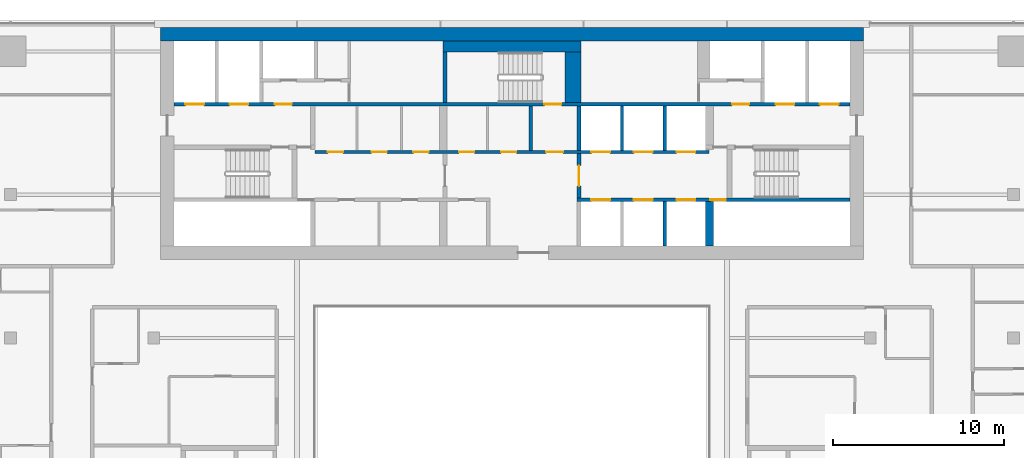
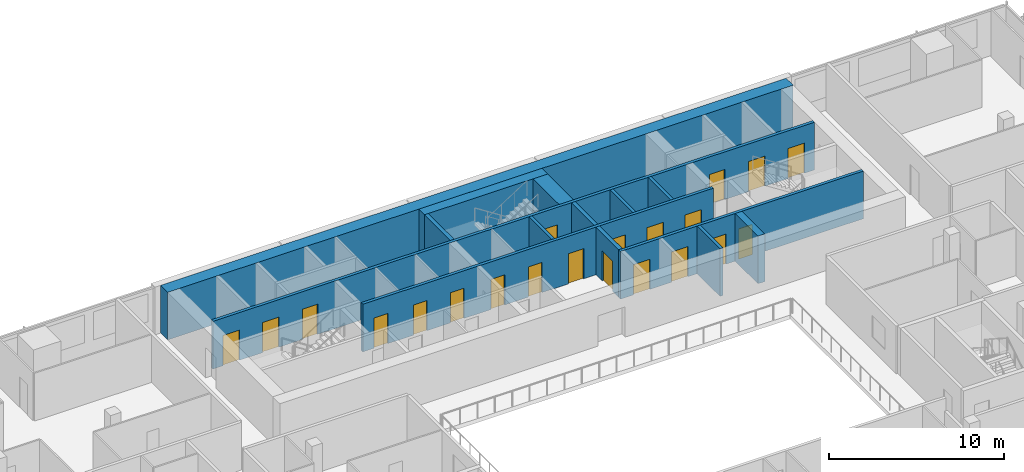
# One storey, part 20 of 29: 21 doors, 14 walls, 21 openings.
"""IFC4 building model written with IfcOpenShell, lengths in metres."""

from ifc_helpers import new_model, si_unit, direction, frame, frame_2d, origin, place, context, subcontext, project, spatial, rectangle, extrude, material, layer, layer_set, type_object, element, fill, save


model = new_model("IFC4")

# Units and contexts
model_context = context("Model", 3, precision=1e-05, world=origin(), true_north=direction((0.0, 1.0)))
body_context = subcontext(model_context, "Body", "Model", "MODEL_VIEW")
ifc_project = project(units=[si_unit("LENGTHUNIT", "METRE"), si_unit("AREAUNIT", "SQUARE_METRE"), si_unit("VOLUMEUNIT", "CUBIC_METRE"), si_unit("PLANEANGLEUNIT", "RADIAN"), si_unit("MASSUNIT", "GRAM", prefix="KILO")], contexts=[model_context])

# Site, building, storey
site_placement = place(None, origin())
site = spatial("IfcSite", under=ifc_project, at=site_placement, CompositionType="ELEMENT")
building_placement = place(site_placement, origin())
building = spatial("IfcBuilding", under=site, at=building_placement, Name="Saffron Gate Tower", CompositionType="ELEMENT")
storey_placement = place(building_placement, frame((0.0, 0.0, 187.050048828125)))
storey = spatial("IfcBuildingStorey", under=building, at=storey_placement, Name="L46", CompositionType="ELEMENT", Elevation=187.050048828125)

# Walls
ifc_material_1 = material(Name="Gypsum board partition on steel studs", Category="steel")
ifc_layer_1 = layer(ifc_material_1, 0.199951171875)
ifc_layer_set_1 = layer_set([ifc_layer_1], Name="CW10 Core partition 200")
wall_type_1 = type_object("IfcWallType", Name="CW10 Core partition 200", PredefinedType="PARTITIONING", material=ifc_layer_set_1)
wall_1_placement = place(storey_placement, frame((88.699951171875, 68.0, 0.0), z_axis=(0.0, 0.0, 1.0), x_axis=(0.0, 1.0, 0.0)))
element("IfcWall", 1, at=wall_1_placement, inside=storey, type_object=wall_type_1, Name="Wall CW10-L46-24", PredefinedType="PARTITIONING", context=body_context, shape_type="SweptSolid", body=[
    extrude(rectangle(XDim=2.60009765625, YDim=0.199951171875, at=frame_2d((1.300048828125, 0.0))), origin(), (0.0, 0.0, 1.0), 3.320068359375),
])
ifc_material_2 = material(Name="Concrete C60", Category="concrete")
ifc_layer_2 = layer(ifc_material_2, 0.800048828125)
ifc_layer_set_2 = layer_set([ifc_layer_2], Name="CW13 RC core wall 800 C60")
wall_type_2 = type_object("IfcWallType", Name="CW13 RC core wall 800 C60", PredefinedType="SOLIDWALL", material=ifc_layer_set_2)
wall_2_placement = place(storey_placement, frame((67.0, 74.800048828125, 0.0), z_axis=(0.0, 0.0, 1.0), x_axis=(1.0, 0.0, 0.0)))
element("IfcWall", 2, at=wall_2_placement, inside=storey, type_object=wall_type_2, Name="Wall CW13-L46-2", PredefinedType="SOLIDWALL", context=body_context, shape_type="SweptSolid", body=[
    extrude(rectangle(XDim=41.199951171875, YDim=0.800048828125, at=frame_2d((20.60009765625, 0.0))), origin(), (0.0, 0.0, 1.0), 3.320068359375),
])

# Wall, opening, door
ifc_layer_3 = layer(ifc_material_2, 0.25)
ifc_layer_set_3 = layer_set([ifc_layer_3], Name="CW14 RC core wall 250 C60")
wall_type_3 = type_object("IfcWallType", Name="CW14 RC core wall 250 C60", PredefinedType="SOLIDWALL", material=ifc_layer_set_3)
wall_3_placement = place(storey_placement, frame((91.52490234375, 65.199951171875, 0.0), z_axis=(0.0, 0.0, 1.0), x_axis=(0.0, 1.0, 0.0)))
wall_3 = element("IfcWall", 3, at=wall_3_placement, inside=storey, type_object=wall_type_3, Name="Wall CW14-L46-17", PredefinedType="SOLIDWALL", context=body_context, shape_type="SweptSolid", body=[
    extrude(rectangle(XDim=2.60009765625, YDim=0.25, at=frame_2d((1.300048828125, 0.0))), origin(), (0.0, 0.0, 1.0), 3.320068359375),
])
opening_1_placement = place(wall_3_placement, frame((0.699951171875, 0.0, 0.0)))
opening_1 = element("IfcOpeningElement", 4, at=opening_1_placement, cuts=wall_3, Name="Opening CR-01", PredefinedType="OPENING", context=body_context, shape_type="SweptSolid", body=[
    extrude(rectangle(XDim=1.199951171875, YDim=2.10009765625, at=frame_2d((0.60009765625, 1.050048828125))), frame((0.0, 0.135009765625, 0.0), z_axis=(0.0, -1.0, 0.0), x_axis=(1.0, 0.0, 0.0)), (0.0, 0.0, 1.0), 0.27001953125),
])
ifc_material_3 = material(Name="Steel fire door set", Category="steel")
door_type_1 = type_object("IfcDoorType", Name="CD3 Lobby door 1200x2100 EI 120", OperationType="NOTDEFINED", PredefinedType="DOOR", material=ifc_material_3)
door_1_placement = place(opening_1_placement, origin())
door_1 = element("IfcDoor", 5, at=door_1_placement, inside=storey, type_object=door_type_1, Name="DOOR CR-01", OperationType="SINGLE_SWING_RIGHT", OverallHeight=2.10009765625, OverallWidth=1.199951171875, PredefinedType="DOOR", context=body_context, shape_type="SweptSolid", body=[
    extrude(rectangle(XDim=1.199951171875, YDim=2.10009765625, at=frame_2d((0.60009765625, 1.050048828125))), frame((0.0, 0.02490234375, 0.0), z_axis=(0.0, -1.0, 0.0), x_axis=(1.0, 0.0, 0.0)), (0.0, 0.0, 1.0), 0.050048828125),
])
fill(opening_1, door_1)

# Walls
wall_4_placement = place(storey_placement, frame((91.52490234375, 68.0, 0.0), z_axis=(0.0, 0.0, 1.0), x_axis=(0.0, 1.0, 0.0)))
element("IfcWall", 6, at=wall_4_placement, inside=storey, type_object=wall_type_3, Name="Wall CW14-L46-25", PredefinedType="SOLIDWALL", context=body_context, shape_type="SweptSolid", body=[
    extrude(rectangle(XDim=2.60009765625, YDim=0.25, at=frame_2d((1.300048828125, 0.0))), origin(), (0.0, 0.0, 1.0), 3.320068359375),
])
wall_5_placement = place(storey_placement, frame((83.675048828125, 70.800048828125, 0.0), z_axis=(0.0, 0.0, 1.0), x_axis=(0.0, 1.0, 0.0)))
element("IfcWall", 7, at=wall_5_placement, inside=storey, type_object=wall_type_3, Name="Wall CW14-L46-37", PredefinedType="SOLIDWALL", context=body_context, shape_type="SweptSolid", body=[
    extrude(rectangle(XDim=2.949951171875, YDim=0.25, at=frame_2d((1.47509765625, 0.0))), origin(), (0.0, 0.0, 1.0), 3.320068359375),
])
ifc_layer_4 = layer(ifc_material_2, 0.199951171875)
ifc_layer_set_4 = layer_set([ifc_layer_4], Name="CW15 RC core wall 200 C60")
wall_type_4 = type_object("IfcWallType", Name="CW15 RC core wall 200 C60", PredefinedType="SOLIDWALL", material=ifc_layer_set_4)
wall_6_placement = place(storey_placement, frame((96.550048828125, 62.39990234375, 0.0), z_axis=(0.0, 0.0, 1.0), x_axis=(0.0, 1.0, 0.0)))
element("IfcWall", 8, at=wall_6_placement, inside=storey, type_object=wall_type_4, Name="Wall CW15-L46-11", PredefinedType="SOLIDWALL", context=body_context, shape_type="SweptSolid", body=[
    extrude(rectangle(XDim=2.60009765625, YDim=0.199951171875, at=frame_2d((1.300048828125, 0.0))), origin(), (0.0, 0.0, 1.0), 3.320068359375),
])

# Wall, openings, doors
wall_7_placement = place(storey_placement, frame((91.39990234375, 65.10009765625, 0.0), z_axis=(0.0, 0.0, 1.0), x_axis=(1.0, 0.0, 0.0)))
wall_7 = element("IfcWall", 9, at=wall_7_placement, inside=storey, type_object=wall_type_4, Name="Wall CW15-L46-14", PredefinedType="SOLIDWALL", context=body_context, shape_type="SweptSolid", body=[
    extrude(rectangle(XDim=16.0, YDim=0.199951171875, at=frame_2d((8.0, 0.0))), origin(), (0.0, 0.0, 1.0), 3.320068359375),
])
opening_2_placement = place(wall_7_placement, frame((0.85009765625, 0.0, 0.0)))
opening_2 = element("IfcOpeningElement", 10, at=opening_2_placement, cuts=wall_7, Name="Opening LD-HR1", PredefinedType="OPENING", context=body_context, shape_type="SweptSolid", body=[
    extrude(rectangle(XDim=1.10009765625, YDim=2.10009765625, at=frame_2d((0.550048828125, 1.050048828125))), frame((0.0, 0.10986328125, 0.0), z_axis=(0.0, -1.0, 0.0), x_axis=(1.0, 0.0, 0.0)), (0.0, 0.0, 1.0), 0.219970703125),
])
opening_3_placement = place(wall_7_placement, frame((3.35009765625, 0.0, 0.0)))
opening_3 = element("IfcOpeningElement", 11, at=opening_3_placement, cuts=wall_7, Name="Opening LD-HR2", PredefinedType="OPENING", context=body_context, shape_type="SweptSolid", body=[
    extrude(rectangle(XDim=1.10009765625, YDim=2.10009765625, at=frame_2d((0.550048828125, 1.050048828125))), frame((0.0, 0.10986328125, 0.0), z_axis=(0.0, -1.0, 0.0), x_axis=(1.0, 0.0, 0.0)), (0.0, 0.0, 1.0), 0.219970703125),
])
opening_4_placement = place(wall_7_placement, frame((5.85009765625, 0.0, 0.0)))
opening_4 = element("IfcOpeningElement", 12, at=opening_4_placement, cuts=wall_7, Name="Opening LD-HR3", PredefinedType="OPENING", context=body_context, shape_type="SweptSolid", body=[
    extrude(rectangle(XDim=1.10009765625, YDim=2.10009765625, at=frame_2d((0.550048828125, 1.050048828125))), frame((0.0, 0.10986328125, 0.0), z_axis=(0.0, -1.0, 0.0), x_axis=(1.0, 0.0, 0.0)), (0.0, 0.0, 1.0), 0.219970703125),
])
opening_5_placement = place(wall_7_placement, frame((7.830078125, 0.0, 0.0)))
opening_5 = element("IfcOpeningElement", 13, at=opening_5_placement, cuts=wall_7, Name="Opening CR-48", PredefinedType="OPENING", context=body_context, shape_type="SweptSolid", body=[
    extrude(rectangle(XDim=0.89990234375, YDim=2.10009765625, at=frame_2d((0.449951171875, 1.050048828125))), frame((0.0, 0.10986328125, 0.0), z_axis=(0.0, -1.0, 0.0), x_axis=(1.0, 0.0, 0.0)), (0.0, 0.0, 1.0), 0.219970703125),
])
door_type_2 = type_object("IfcDoorType", Name="CD2 Riser door 900x2100 EI 60", OperationType="NOTDEFINED", PredefinedType="DOOR", material=ifc_material_3)
door_2_placement = place(opening_5_placement, origin())
door_2 = element("IfcDoor", 14, at=door_2_placement, inside=storey, type_object=door_type_2, Name="DOOR CR-48", OperationType="SINGLE_SWING_RIGHT", OverallHeight=2.10009765625, OverallWidth=0.89990234375, PredefinedType="DOOR", context=body_context, shape_type="SweptSolid", body=[
    extrude(rectangle(XDim=0.89990234375, YDim=2.10009765625, at=frame_2d((0.449951171875, 1.050048828125))), frame((0.0, 0.02490234375, 0.0), z_axis=(0.0, -1.0, 0.0), x_axis=(1.0, 0.0, 0.0)), (0.0, 0.0, 1.0), 0.050048828125),
])
fill(opening_5, door_2)
ifc_material_4 = material(Name="Stainless steel landing door", Category="steel")
door_type_3 = type_object("IfcDoorType", Name="LD Lift landing door 1100x2100 EI 120", OperationType="SLIDING_TO_LEFT", PredefinedType="DOOR", material=ifc_material_4)
door_3_placement = place(opening_2_placement, origin())
door_3 = element("IfcDoor", 15, at=door_3_placement, inside=storey, type_object=door_type_3, Name="LANDING DOOR LD-HR1", OperationType="SLIDING_TO_LEFT", OverallHeight=2.10009765625, OverallWidth=1.10009765625, PredefinedType="DOOR", context=body_context, shape_type="SweptSolid", body=[
    extrude(rectangle(XDim=1.10009765625, YDim=2.10009765625, at=frame_2d((0.550048828125, 1.050048828125))), frame((0.0, 0.02490234375, 0.0), z_axis=(0.0, -1.0, 0.0), x_axis=(1.0, 0.0, 0.0)), (0.0, 0.0, 1.0), 0.050048828125),
])
fill(opening_2, door_3)
door_4_placement = place(opening_3_placement, origin())
door_4 = element("IfcDoor", 16, at=door_4_placement, inside=storey, type_object=door_type_3, Name="LANDING DOOR LD-HR2", OperationType="SLIDING_TO_LEFT", OverallHeight=2.10009765625, OverallWidth=1.10009765625, PredefinedType="DOOR", context=body_context, shape_type="SweptSolid", body=[
    extrude(rectangle(XDim=1.10009765625, YDim=2.10009765625, at=frame_2d((0.550048828125, 1.050048828125))), frame((0.0, 0.02490234375, 0.0), z_axis=(0.0, -1.0, 0.0), x_axis=(1.0, 0.0, 0.0)), (0.0, 0.0, 1.0), 0.050048828125),
])
fill(opening_3, door_4)
door_5_placement = place(opening_4_placement, origin())
door_5 = element("IfcDoor", 17, at=door_5_placement, inside=storey, type_object=door_type_3, Name="LANDING DOOR LD-HR3", OperationType="SLIDING_TO_LEFT", OverallHeight=2.10009765625, OverallWidth=1.10009765625, PredefinedType="DOOR", context=body_context, shape_type="SweptSolid", body=[
    extrude(rectangle(XDim=1.10009765625, YDim=2.10009765625, at=frame_2d((0.550048828125, 1.050048828125))), frame((0.0, 0.02490234375, 0.0), z_axis=(0.0, -1.0, 0.0), x_axis=(1.0, 0.0, 0.0)), (0.0, 0.0, 1.0), 0.050048828125),
])
fill(opening_4, door_5)

wall_8_placement = place(storey_placement, frame((76.050048828125, 67.89990234375, 0.0), z_axis=(0.0, 0.0, 1.0), x_axis=(1.0, 0.0, 0.0)))
wall_8 = element("IfcWall", 18, at=wall_8_placement, inside=storey, type_object=wall_type_4, Name="Wall CW15-L46-19", PredefinedType="SOLIDWALL", context=body_context, shape_type="SweptSolid", body=[
    extrude(rectangle(XDim=23.099853515625, YDim=0.199951171875, at=frame_2d((11.5498046875, 0.0))), origin(), (0.0, 0.0, 1.0), 3.320068359375),
])
opening_6_placement = place(wall_8_placement, frame((0.75, 0.0, 0.0)))
opening_6 = element("IfcOpeningElement", 19, at=opening_6_placement, cuts=wall_8, Name="Opening CR-61", PredefinedType="OPENING", context=body_context, shape_type="SweptSolid", body=[
    extrude(rectangle(XDim=0.89990234375, YDim=2.10009765625, at=frame_2d((0.449951171875, 1.050048828125))), frame((0.0, 0.10986328125, 0.0), z_axis=(0.0, -1.0, 0.0), x_axis=(1.0, 0.0, 0.0)), (0.0, 0.0, 1.0), 0.219970703125),
])
opening_7_placement = place(wall_8_placement, frame((3.320068359375, 0.0, 0.0)))
opening_7 = element("IfcOpeningElement", 20, at=opening_7_placement, cuts=wall_8, Name="Opening CR-62", PredefinedType="OPENING", context=body_context, shape_type="SweptSolid", body=[
    extrude(rectangle(XDim=0.89990234375, YDim=2.10009765625, at=frame_2d((0.449951171875, 1.050048828125))), frame((0.0, 0.10986328125, 0.0), z_axis=(0.0, -1.0, 0.0), x_axis=(1.0, 0.0, 0.0)), (0.0, 0.0, 1.0), 0.219970703125),
])
opening_8_placement = place(wall_8_placement, frame((5.77001953125, 0.0, 0.0)))
opening_8 = element("IfcOpeningElement", 21, at=opening_8_placement, cuts=wall_8, Name="Opening CR-63", PredefinedType="OPENING", context=body_context, shape_type="SweptSolid", body=[
    extrude(rectangle(XDim=0.89990234375, YDim=2.10009765625, at=frame_2d((0.449951171875, 1.050048828125))), frame((0.0, 0.10986328125, 0.0), z_axis=(0.0, -1.0, 0.0), x_axis=(1.0, 0.0, 0.0)), (0.0, 0.0, 1.0), 0.219970703125),
])
opening_9_placement = place(wall_8_placement, frame((8.449951171875, 0.0, 0.0)))
opening_9 = element("IfcOpeningElement", 22, at=opening_9_placement, cuts=wall_8, Name="Opening CR-67", PredefinedType="OPENING", context=body_context, shape_type="SweptSolid", body=[
    extrude(rectangle(XDim=0.89990234375, YDim=2.10009765625, at=frame_2d((0.449951171875, 1.050048828125))), frame((0.0, 0.10986328125, 0.0), z_axis=(0.0, -1.0, 0.0), x_axis=(1.0, 0.0, 0.0)), (0.0, 0.0, 1.0), 0.219970703125),
])
opening_10_placement = place(wall_8_placement, frame((10.909912109375, 0.0, 0.0)))
opening_10 = element("IfcOpeningElement", 23, at=opening_10_placement, cuts=wall_8, Name="Opening CR-68", PredefinedType="OPENING", context=body_context, shape_type="SweptSolid", body=[
    extrude(rectangle(XDim=0.89990234375, YDim=2.10009765625, at=frame_2d((0.449951171875, 1.050048828125))), frame((0.0, 0.10986328125, 0.0), z_axis=(0.0, -1.0, 0.0), x_axis=(1.0, 0.0, 0.0)), (0.0, 0.0, 1.0), 0.219970703125),
])
opening_11_placement = place(wall_8_placement, frame((13.550048828125, 0.0, 0.0)))
opening_11 = element("IfcOpeningElement", 24, at=opening_11_placement, cuts=wall_8, Name="Opening CR-02", PredefinedType="OPENING", context=body_context, shape_type="SweptSolid", body=[
    extrude(rectangle(XDim=1.0, YDim=2.10009765625, at=frame_2d((0.5, 1.050048828125))), frame((0.0, 0.10986328125, 0.0), z_axis=(0.0, -1.0, 0.0), x_axis=(1.0, 0.0, 0.0)), (0.0, 0.0, 1.0), 0.219970703125),
])
opening_12_placement = place(wall_8_placement, frame((16.199951171875, 0.0, 0.0)))
opening_12 = element("IfcOpeningElement", 25, at=opening_12_placement, cuts=wall_8, Name="Opening LD-HR4", PredefinedType="OPENING", context=body_context, shape_type="SweptSolid", body=[
    extrude(rectangle(XDim=1.10009765625, YDim=2.10009765625, at=frame_2d((0.550048828125, 1.050048828125))), frame((0.0, 0.10986328125, 0.0), z_axis=(0.0, -1.0, 0.0), x_axis=(1.0, 0.0, 0.0)), (0.0, 0.0, 1.0), 0.219970703125),
])
opening_13_placement = place(wall_8_placement, frame((18.699951171875, 0.0, 0.0)))
opening_13 = element("IfcOpeningElement", 26, at=opening_13_placement, cuts=wall_8, Name="Opening LD-HR5", PredefinedType="OPENING", context=body_context, shape_type="SweptSolid", body=[
    extrude(rectangle(XDim=1.10009765625, YDim=2.10009765625, at=frame_2d((0.550048828125, 1.050048828125))), frame((0.0, 0.10986328125, 0.0), z_axis=(0.0, -1.0, 0.0), x_axis=(1.0, 0.0, 0.0)), (0.0, 0.0, 1.0), 0.219970703125),
])
opening_14_placement = place(wall_8_placement, frame((21.199951171875, 0.0, 0.0)))
opening_14 = element("IfcOpeningElement", 27, at=opening_14_placement, cuts=wall_8, Name="Opening LD-HR6", PredefinedType="OPENING", context=body_context, shape_type="SweptSolid", body=[
    extrude(rectangle(XDim=1.10009765625, YDim=2.10009765625, at=frame_2d((0.550048828125, 1.050048828125))), frame((0.0, 0.10986328125, 0.0), z_axis=(0.0, -1.0, 0.0), x_axis=(1.0, 0.0, 0.0)), (0.0, 0.0, 1.0), 0.219970703125),
])
door_type_4 = type_object("IfcDoorType", Name="CD4 Lobby door 1000x2100 EI 120", OperationType="NOTDEFINED", PredefinedType="DOOR", material=ifc_material_3)
door_6_placement = place(opening_11_placement, origin())
door_6 = element("IfcDoor", 28, at=door_6_placement, inside=storey, type_object=door_type_4, Name="DOOR CR-02", OperationType="SINGLE_SWING_LEFT", OverallHeight=2.10009765625, OverallWidth=1.0, PredefinedType="DOOR", context=body_context, shape_type="SweptSolid", body=[
    extrude(rectangle(XDim=1.0, YDim=2.10009765625, at=frame_2d((0.5, 1.050048828125))), frame((0.0, 0.02490234375, 0.0), z_axis=(0.0, -1.0, 0.0), x_axis=(1.0, 0.0, 0.0)), (0.0, 0.0, 1.0), 0.050048828125),
])
fill(opening_11, door_6)
door_type_5 = type_object("IfcDoorType", Name="CD9 Room door 900x2100 EI 60", OperationType="NOTDEFINED", PredefinedType="DOOR", material=ifc_material_3)
door_7_placement = place(opening_6_placement, origin())
door_7 = element("IfcDoor", 29, at=door_7_placement, inside=storey, type_object=door_type_5, Name="DOOR CR-61", OperationType="SINGLE_SWING_LEFT", OverallHeight=2.10009765625, OverallWidth=0.89990234375, PredefinedType="DOOR", context=body_context, shape_type="SweptSolid", body=[
    extrude(rectangle(XDim=0.89990234375, YDim=2.10009765625, at=frame_2d((0.449951171875, 1.050048828125))), frame((0.0, 0.02490234375, 0.0), z_axis=(0.0, -1.0, 0.0), x_axis=(1.0, 0.0, 0.0)), (0.0, 0.0, 1.0), 0.050048828125),
])
fill(opening_6, door_7)
door_8_placement = place(opening_7_placement, origin())
door_8 = element("IfcDoor", 30, at=door_8_placement, inside=storey, type_object=door_type_5, Name="DOOR CR-62", OperationType="SINGLE_SWING_LEFT", OverallHeight=2.10009765625, OverallWidth=0.89990234375, PredefinedType="DOOR", context=body_context, shape_type="SweptSolid", body=[
    extrude(rectangle(XDim=0.89990234375, YDim=2.10009765625, at=frame_2d((0.449951171875, 1.050048828125))), frame((0.0, 0.02490234375, 0.0), z_axis=(0.0, -1.0, 0.0), x_axis=(1.0, 0.0, 0.0)), (0.0, 0.0, 1.0), 0.050048828125),
])
fill(opening_7, door_8)
door_9_placement = place(opening_8_placement, origin())
door_9 = element("IfcDoor", 31, at=door_9_placement, inside=storey, type_object=door_type_5, Name="DOOR CR-63", OperationType="SINGLE_SWING_LEFT", OverallHeight=2.10009765625, OverallWidth=0.89990234375, PredefinedType="DOOR", context=body_context, shape_type="SweptSolid", body=[
    extrude(rectangle(XDim=0.89990234375, YDim=2.10009765625, at=frame_2d((0.449951171875, 1.050048828125))), frame((0.0, 0.02490234375, 0.0), z_axis=(0.0, -1.0, 0.0), x_axis=(1.0, 0.0, 0.0)), (0.0, 0.0, 1.0), 0.050048828125),
])
fill(opening_8, door_9)
door_10_placement = place(opening_9_placement, origin())
door_10 = element("IfcDoor", 32, at=door_10_placement, inside=storey, type_object=door_type_5, Name="DOOR CR-67", OperationType="SINGLE_SWING_LEFT", OverallHeight=2.10009765625, OverallWidth=0.89990234375, PredefinedType="DOOR", context=body_context, shape_type="SweptSolid", body=[
    extrude(rectangle(XDim=0.89990234375, YDim=2.10009765625, at=frame_2d((0.449951171875, 1.050048828125))), frame((0.0, 0.02490234375, 0.0), z_axis=(0.0, -1.0, 0.0), x_axis=(1.0, 0.0, 0.0)), (0.0, 0.0, 1.0), 0.050048828125),
])
fill(opening_9, door_10)
door_11_placement = place(opening_10_placement, origin())
door_11 = element("IfcDoor", 33, at=door_11_placement, inside=storey, type_object=door_type_5, Name="DOOR CR-68", OperationType="SINGLE_SWING_LEFT", OverallHeight=2.10009765625, OverallWidth=0.89990234375, PredefinedType="DOOR", context=body_context, shape_type="SweptSolid", body=[
    extrude(rectangle(XDim=0.89990234375, YDim=2.10009765625, at=frame_2d((0.449951171875, 1.050048828125))), frame((0.0, 0.02490234375, 0.0), z_axis=(0.0, -1.0, 0.0), x_axis=(1.0, 0.0, 0.0)), (0.0, 0.0, 1.0), 0.050048828125),
])
fill(opening_10, door_11)
door_12_placement = place(opening_12_placement, origin())
door_12 = element("IfcDoor", 34, at=door_12_placement, inside=storey, type_object=door_type_3, Name="LANDING DOOR LD-HR4", OperationType="SLIDING_TO_RIGHT", OverallHeight=2.10009765625, OverallWidth=1.10009765625, PredefinedType="DOOR", context=body_context, shape_type="SweptSolid", body=[
    extrude(rectangle(XDim=1.10009765625, YDim=2.10009765625, at=frame_2d((0.550048828125, 1.050048828125))), frame((0.0, 0.02490234375, 0.0), z_axis=(0.0, -1.0, 0.0), x_axis=(1.0, 0.0, 0.0)), (0.0, 0.0, 1.0), 0.050048828125),
])
fill(opening_12, door_12)
door_13_placement = place(opening_13_placement, origin())
door_13 = element("IfcDoor", 35, at=door_13_placement, inside=storey, type_object=door_type_3, Name="LANDING DOOR LD-HR5", OperationType="SLIDING_TO_RIGHT", OverallHeight=2.10009765625, OverallWidth=1.10009765625, PredefinedType="DOOR", context=body_context, shape_type="SweptSolid", body=[
    extrude(rectangle(XDim=1.10009765625, YDim=2.10009765625, at=frame_2d((0.550048828125, 1.050048828125))), frame((0.0, 0.02490234375, 0.0), z_axis=(0.0, -1.0, 0.0), x_axis=(1.0, 0.0, 0.0)), (0.0, 0.0, 1.0), 0.050048828125),
])
fill(opening_13, door_13)
door_14_placement = place(opening_14_placement, origin())
door_14 = element("IfcDoor", 36, at=door_14_placement, inside=storey, type_object=door_type_3, Name="LANDING DOOR LD-HR6", OperationType="SLIDING_TO_RIGHT", OverallHeight=2.10009765625, OverallWidth=1.10009765625, PredefinedType="DOOR", context=body_context, shape_type="SweptSolid", body=[
    extrude(rectangle(XDim=1.10009765625, YDim=2.10009765625, at=frame_2d((0.550048828125, 1.050048828125))), frame((0.0, 0.02490234375, 0.0), z_axis=(0.0, -1.0, 0.0), x_axis=(1.0, 0.0, 0.0)), (0.0, 0.0, 1.0), 0.050048828125),
])
fill(opening_14, door_14)

# Walls
for number, where, z_axis, x_axis, name in (
    (37, (94.050048828125, 68.0, 0.0), (0.0, 0.0, 1.0), (0.0, 1.0, 0.0), "Wall CW15-L46-26"),
    (38, (96.550048828125, 68.0, 0.0), (0.0, 0.0, 1.0), (0.0, 1.0, 0.0), "Wall CW15-L46-27"),
):
    element("IfcWall", number, at=place(storey_placement, frame(where, z_axis=z_axis, x_axis=x_axis)), inside=storey, type_object=wall_type_4, Name=name, PredefinedType="SOLIDWALL", context=body_context, shape_type="SweptSolid", body=[
        extrude(rectangle(XDim=2.60009765625, YDim=0.199951171875, at=frame_2d((1.300048828125, 0.0))), origin(), (0.0, 0.0, 1.0), 3.320068359375),
    ])

# Wall, openings, doors
wall_9_placement = place(storey_placement, frame((67.800048828125, 70.699951171875, 0.0), z_axis=(0.0, 0.0, 1.0), x_axis=(1.0, 0.0, 0.0)))
wall_9 = element("IfcWall", 39, at=wall_9_placement, inside=storey, type_object=wall_type_4, Name="Wall CW15-L46-33", PredefinedType="SOLIDWALL", context=body_context, shape_type="SweptSolid", body=[
    extrude(rectangle(XDim=39.599853515625, YDim=0.199951171875, at=frame_2d((19.7998046875, 0.0))), origin(), (0.0, 0.0, 1.0), 3.320068359375),
])
opening_15_placement = place(wall_9_placement, frame((0.64990234375, 0.0, 0.0)))
opening_15 = element("IfcOpeningElement", 40, at=opening_15_placement, cuts=wall_9, Name="Opening LD-FF1", PredefinedType="OPENING", context=body_context, shape_type="SweptSolid", body=[
    extrude(rectangle(XDim=1.10009765625, YDim=2.10009765625, at=frame_2d((0.550048828125, 1.050048828125))), frame((0.0, 0.10986328125, 0.0), z_axis=(0.0, -1.0, 0.0), x_axis=(1.0, 0.0, 0.0)), (0.0, 0.0, 1.0), 0.219970703125),
])
opening_16_placement = place(wall_9_placement, frame((3.25, 0.0, 0.0)))
opening_16 = element("IfcOpeningElement", 41, at=opening_16_placement, cuts=wall_9, Name="Opening LD-SV1", PredefinedType="OPENING", context=body_context, shape_type="SweptSolid", body=[
    extrude(rectangle(XDim=1.10009765625, YDim=2.10009765625, at=frame_2d((0.550048828125, 1.050048828125))), frame((0.0, 0.10986328125, 0.0), z_axis=(0.0, -1.0, 0.0), x_axis=(1.0, 0.0, 0.0)), (0.0, 0.0, 1.0), 0.219970703125),
])
opening_17_placement = place(wall_9_placement, frame((5.89990234375, 0.0, 0.0)))
opening_17 = element("IfcOpeningElement", 42, at=opening_17_placement, cuts=wall_9, Name="Opening CR-03", PredefinedType="OPENING", context=body_context, shape_type="SweptSolid", body=[
    extrude(rectangle(XDim=1.0, YDim=2.10009765625, at=frame_2d((0.5, 1.050048828125))), frame((0.0, 0.10986328125, 0.0), z_axis=(0.0, -1.0, 0.0), x_axis=(1.0, 0.0, 0.0)), (0.0, 0.0, 1.0), 0.219970703125),
])
opening_18_placement = place(wall_9_placement, frame((21.699951171875, 0.0, 0.0)))
opening_18 = element("IfcOpeningElement", 43, at=opening_18_placement, cuts=wall_9, Name="Opening CR-17", PredefinedType="OPENING", context=body_context, shape_type="SweptSolid", body=[
    extrude(rectangle(XDim=1.0, YDim=2.10009765625, at=frame_2d((0.5, 1.050048828125))), frame((0.0, 0.10986328125, 0.0), z_axis=(0.0, -1.0, 0.0), x_axis=(1.0, 0.0, 0.0)), (0.0, 0.0, 1.0), 0.219970703125),
])
opening_19_placement = place(wall_9_placement, frame((32.699951171875, 0.0, 0.0)))
opening_19 = element("IfcOpeningElement", 44, at=opening_19_placement, cuts=wall_9, Name="Opening CR-04", PredefinedType="OPENING", context=body_context, shape_type="SweptSolid", body=[
    extrude(rectangle(XDim=1.0, YDim=2.10009765625, at=frame_2d((0.5, 1.050048828125))), frame((0.0, 0.10986328125, 0.0), z_axis=(0.0, -1.0, 0.0), x_axis=(1.0, 0.0, 0.0)), (0.0, 0.0, 1.0), 0.219970703125),
])
opening_20_placement = place(wall_9_placement, frame((35.25, 0.0, 0.0)))
opening_20 = element("IfcOpeningElement", 45, at=opening_20_placement, cuts=wall_9, Name="Opening LD-SV2", PredefinedType="OPENING", context=body_context, shape_type="SweptSolid", body=[
    extrude(rectangle(XDim=1.10009765625, YDim=2.10009765625, at=frame_2d((0.550048828125, 1.050048828125))), frame((0.0, 0.10986328125, 0.0), z_axis=(0.0, -1.0, 0.0), x_axis=(1.0, 0.0, 0.0)), (0.0, 0.0, 1.0), 0.219970703125),
])
opening_21_placement = place(wall_9_placement, frame((37.85009765625, 0.0, 0.0)))
opening_21 = element("IfcOpeningElement", 46, at=opening_21_placement, cuts=wall_9, Name="Opening LD-FF2", PredefinedType="OPENING", context=body_context, shape_type="SweptSolid", body=[
    extrude(rectangle(XDim=1.10009765625, YDim=2.10009765625, at=frame_2d((0.550048828125, 1.050048828125))), frame((0.0, 0.10986328125, 0.0), z_axis=(0.0, -1.0, 0.0), x_axis=(1.0, 0.0, 0.0)), (0.0, 0.0, 1.0), 0.219970703125),
])
door_15_placement = place(opening_17_placement, origin())
door_15 = element("IfcDoor", 47, at=door_15_placement, inside=storey, type_object=door_type_4, Name="DOOR CR-03", OperationType="SINGLE_SWING_LEFT", OverallHeight=2.10009765625, OverallWidth=1.0, PredefinedType="DOOR", context=body_context, shape_type="SweptSolid", body=[
    extrude(rectangle(XDim=1.0, YDim=2.10009765625, at=frame_2d((0.5, 1.050048828125))), frame((0.0, 0.02490234375, 0.0), z_axis=(0.0, -1.0, 0.0), x_axis=(1.0, 0.0, 0.0)), (0.0, 0.0, 1.0), 0.050048828125),
])
fill(opening_17, door_15)
door_16_placement = place(opening_19_placement, origin())
door_16 = element("IfcDoor", 48, at=door_16_placement, inside=storey, type_object=door_type_4, Name="DOOR CR-04", OperationType="SINGLE_SWING_RIGHT", OverallHeight=2.10009765625, OverallWidth=1.0, PredefinedType="DOOR", context=body_context, shape_type="SweptSolid", body=[
    extrude(rectangle(XDim=1.0, YDim=2.10009765625, at=frame_2d((0.5, 1.050048828125))), frame((0.0, 0.02490234375, 0.0), z_axis=(0.0, -1.0, 0.0), x_axis=(1.0, 0.0, 0.0)), (0.0, 0.0, 1.0), 0.050048828125),
])
fill(opening_19, door_16)
door_type_6 = type_object("IfcDoorType", Name="CD5 Stair door 1000x2100 EI 120", OperationType="NOTDEFINED", PredefinedType="DOOR", material=ifc_material_3)
door_17_placement = place(opening_18_placement, origin())
door_17 = element("IfcDoor", 49, at=door_17_placement, inside=storey, type_object=door_type_6, Name="DOOR CR-17", OperationType="SINGLE_SWING_RIGHT", OverallHeight=2.10009765625, OverallWidth=1.0, PredefinedType="DOOR", context=body_context, shape_type="SweptSolid", body=[
    extrude(rectangle(XDim=1.0, YDim=2.10009765625, at=frame_2d((0.5, 1.050048828125))), frame((0.0, 0.02490234375, 0.0), z_axis=(0.0, -1.0, 0.0), x_axis=(1.0, 0.0, 0.0)), (0.0, 0.0, 1.0), 0.050048828125),
])
fill(opening_18, door_17)
door_18_placement = place(opening_15_placement, origin())
door_18 = element("IfcDoor", 50, at=door_18_placement, inside=storey, type_object=door_type_3, Name="LANDING DOOR LD-FF1", OperationType="SLIDING_TO_RIGHT", OverallHeight=2.10009765625, OverallWidth=1.10009765625, PredefinedType="DOOR", context=body_context, shape_type="SweptSolid", body=[
    extrude(rectangle(XDim=1.10009765625, YDim=2.10009765625, at=frame_2d((0.550048828125, 1.050048828125))), frame((0.0, 0.02490234375, 0.0), z_axis=(0.0, -1.0, 0.0), x_axis=(1.0, 0.0, 0.0)), (0.0, 0.0, 1.0), 0.050048828125),
])
fill(opening_15, door_18)
door_19_placement = place(opening_16_placement, origin())
door_19 = element("IfcDoor", 51, at=door_19_placement, inside=storey, type_object=door_type_3, Name="LANDING DOOR LD-SV1", OperationType="SLIDING_TO_RIGHT", OverallHeight=2.10009765625, OverallWidth=1.10009765625, PredefinedType="DOOR", context=body_context, shape_type="SweptSolid", body=[
    extrude(rectangle(XDim=1.10009765625, YDim=2.10009765625, at=frame_2d((0.550048828125, 1.050048828125))), frame((0.0, 0.02490234375, 0.0), z_axis=(0.0, -1.0, 0.0), x_axis=(1.0, 0.0, 0.0)), (0.0, 0.0, 1.0), 0.050048828125),
])
fill(opening_16, door_19)
door_20_placement = place(opening_20_placement, origin())
door_20 = element("IfcDoor", 52, at=door_20_placement, inside=storey, type_object=door_type_3, Name="LANDING DOOR LD-SV2", OperationType="SLIDING_TO_RIGHT", OverallHeight=2.10009765625, OverallWidth=1.10009765625, PredefinedType="DOOR", context=body_context, shape_type="SweptSolid", body=[
    extrude(rectangle(XDim=1.10009765625, YDim=2.10009765625, at=frame_2d((0.550048828125, 1.050048828125))), frame((0.0, 0.02490234375, 0.0), z_axis=(0.0, -1.0, 0.0), x_axis=(1.0, 0.0, 0.0)), (0.0, 0.0, 1.0), 0.050048828125),
])
fill(opening_20, door_20)
door_21_placement = place(opening_21_placement, origin())
door_21 = element("IfcDoor", 53, at=door_21_placement, inside=storey, type_object=door_type_3, Name="LANDING DOOR LD-FF2", OperationType="SLIDING_TO_RIGHT", OverallHeight=2.10009765625, OverallWidth=1.10009765625, PredefinedType="DOOR", context=body_context, shape_type="SweptSolid", body=[
    extrude(rectangle(XDim=1.10009765625, YDim=2.10009765625, at=frame_2d((0.550048828125, 1.050048828125))), frame((0.0, 0.02490234375, 0.0), z_axis=(0.0, -1.0, 0.0), x_axis=(1.0, 0.0, 0.0)), (0.0, 0.0, 1.0), 0.050048828125),
])
fill(opening_21, door_21)

# Walls
ifc_layer_5 = layer(ifc_material_2, 0.449951171875)
ifc_layer_set_5 = layer_set([ifc_layer_5], Name="CW16 RC core wall 450 C60")
wall_type_5 = type_object("IfcWallType", Name="CW16 RC core wall 450 C60", PredefinedType="SOLIDWALL", material=ifc_layer_set_5)
wall_10_placement = place(storey_placement, frame((99.175048828125, 62.39990234375, 0.0), z_axis=(0.0, 0.0, 1.0), x_axis=(0.0, 1.0, 0.0)))
element("IfcWall", 54, at=wall_10_placement, inside=storey, type_object=wall_type_5, Name="Wall CW16-L46-12", PredefinedType="SOLIDWALL", context=body_context, shape_type="SweptSolid", body=[
    extrude(rectangle(XDim=2.60009765625, YDim=0.449951171875, at=frame_2d((1.300048828125, 0.0))), origin(), (0.0, 0.0, 1.0), 3.320068359375),
])
ifc_layer_6 = layer(ifc_material_2, 0.949951171875)
ifc_layer_set_6 = layer_set([ifc_layer_6], Name="CW19 RC core wall 950 C60")
wall_type_6 = type_object("IfcWallType", Name="CW19 RC core wall 950 C60", PredefinedType="SOLIDWALL", material=ifc_layer_set_6)
wall_11_placement = place(storey_placement, frame((91.175048828125, 70.800048828125, 0.0), z_axis=(0.0, 0.0, 1.0), x_axis=(0.0, 1.0, 0.0)))
element("IfcWall", 55, at=wall_11_placement, inside=storey, type_object=wall_type_6, Name="Wall CW19-L46-38", PredefinedType="SOLIDWALL", context=body_context, shape_type="SweptSolid", body=[
    extrude(rectangle(XDim=2.949951171875, YDim=0.949951171875, at=frame_2d((1.47509765625, 0.0))), origin(), (0.0, 0.0, 1.0), 3.320068359375),
])
ifc_layer_7 = layer(ifc_material_2, 0.64990234375)
ifc_layer_set_7 = layer_set([ifc_layer_7], Name="CW20 RC core wall 650 C60")
wall_type_7 = type_object("IfcWallType", Name="CW20 RC core wall 650 C60", PredefinedType="SOLIDWALL", material=ifc_layer_set_7)
wall_12_placement = place(storey_placement, frame((83.550048828125, 74.074951171875, 0.0), z_axis=(0.0, 0.0, 1.0), x_axis=(1.0, 0.0, 0.0)))
element("IfcWall", 56, at=wall_12_placement, inside=storey, type_object=wall_type_7, Name="Wall CW20-L46-49", PredefinedType="SOLIDWALL", context=body_context, shape_type="SweptSolid", body=[
    extrude(rectangle(XDim=8.099853515625, YDim=0.64990234375, at=frame_2d((4.0498046875, 0.0))), origin(), (0.0, 0.0, 1.0), 3.320068359375),
])

save(model, "model.ifc")
